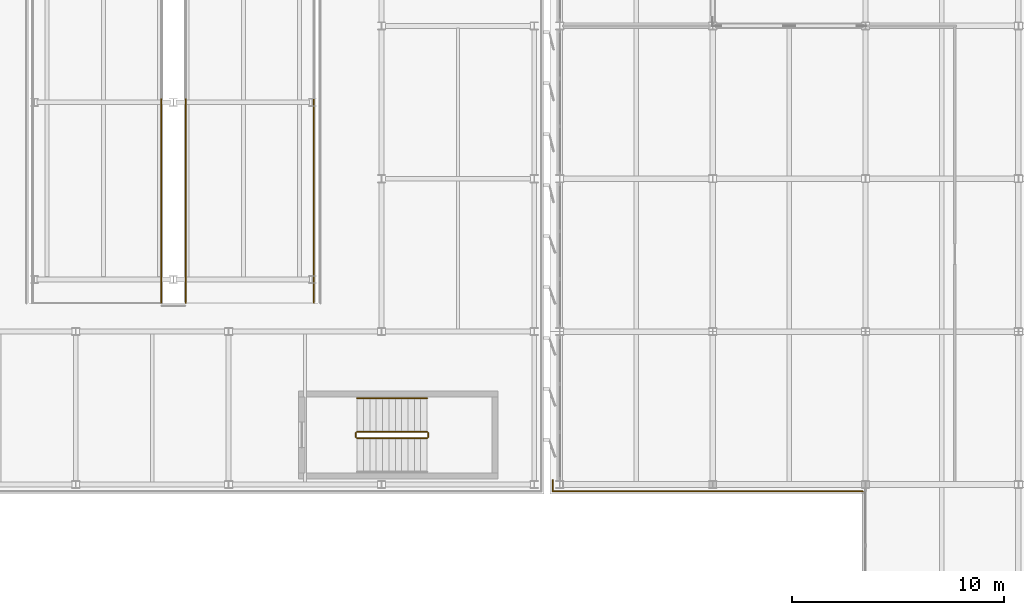
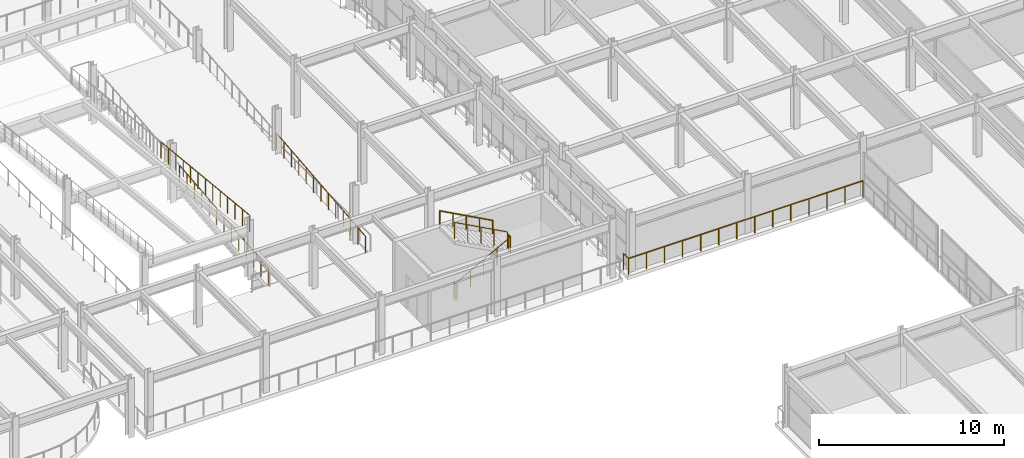
# One storey, part 75 of 80: 13 railings.
"""IFC4 building model written with IfcOpenShell, lengths in metres."""

import ifcopenshell
import ifcopenshell.guid

model = None  # the IFC model being written
_history = None  # IfcOwnerHistory: only IFC2X3 demands one
_inside = {}  # id of a spatial element -> (the spatial element, [elements in it])
_under = {}  # id of a project, library or spatial element -> (it, [spatial elements below it])
_declared = {}  # id of a project -> (the project, [libraries it declares])
_typed = {}  # id of a type object -> (the type object, [elements of that type])
_made_of = {}  # id of a material, layer set ... -> (it, [elements and type objects made of it])


def new_model(schema):
    """Start an empty IFC model of exactly this schema.

    Asked for "IFC4X3", IfcOpenShell would pick the latest addendum, in which some entities
    have other attributes; the version numbers below select the first issue.
    IFC2X3 requires an IfcOwnerHistory on every rooted entity: one is made here for all.
    """
    global model, _history
    if schema == "IFC4X3":
        model = ifcopenshell.file(schema_version=(4, 3, 0, 0))
    else:
        model = ifcopenshell.file(schema=schema)
    _inside.clear()
    _under.clear()
    _declared.clear()
    _typed.clear()
    _made_of.clear()
    _history = None
    if model.schema == "IFC2X3":
        org = make("IfcOrganization", Name="unknown")
        user = make(
            "IfcPersonAndOrganization",
            ThePerson=make("IfcPerson", FamilyName="unknown"),
            TheOrganization=org,
        )
        app = make(
            "IfcApplication",
            ApplicationDeveloper=org,
            Version="unknown",
            ApplicationFullName="unknown",
            ApplicationIdentifier="unknown",
        )
        _history = make(
            "IfcOwnerHistory",
            OwningUser=user,
            OwningApplication=app,
            ChangeAction="ADDED",
            CreationDate=0,
        )
    return model


def make(cls, **values):
    """One entity of the class cls with the attributes given. An attribute that is None is left unset."""
    return model.create_entity(
        cls, **{name: value for name, value in values.items() if value is not None}
    )


def rooted(cls, **values):
    """An entity with a GlobalId (a new one), such as an element, a storey or a relation."""
    return make(cls, GlobalId=ifcopenshell.guid.new(), OwnerHistory=_history, **values)


def si_unit(unit_type, name, prefix=None):
    """IfcSIUnit, for example si_unit("LENGTHUNIT", "METRE", prefix="MILLI")."""
    return make("IfcSIUnit", UnitType=unit_type, Prefix=prefix, Name=name)


def assignment(units):
    """IfcUnitAssignment: the units of a project."""
    return None if units is None else make("IfcUnitAssignment", Units=units)


def point(xyz):
    """IfcCartesianPoint."""
    return None if xyz is None else make("IfcCartesianPoint", Coordinates=xyz)


def direction(xyz):
    """IfcDirection."""
    return None if xyz is None else make("IfcDirection", DirectionRatios=xyz)


def frame(location, z_axis=None, x_axis=None):
    """IfcAxis2Placement3D, a coordinate frame: its origin and axes. An axis left out is left unset."""
    return make(
        "IfcAxis2Placement3D",
        Location=point(location),
        Axis=direction(z_axis),
        RefDirection=direction(x_axis),
    )


def frame_2d(location, x_axis=None):
    """IfcAxis2Placement2D, a coordinate frame in the plane: its origin and x axis."""
    return make(
        "IfcAxis2Placement2D", Location=point(location), RefDirection=direction(x_axis)
    )


def origin():
    """The frame at (0, 0, 0) with its axes left unset."""
    return frame((0.0, 0.0, 0.0))


def origin_2d():
    """The frame at (0, 0) in the plane with its x axis left unset."""
    return frame_2d((0.0, 0.0))


def place(relative_to, where):
    """IfcLocalPlacement: puts the frame where relative to a parent placement (None: the world)."""
    return make(
        "IfcLocalPlacement", PlacementRelTo=relative_to, RelativePlacement=where
    )


def context(
    kind, dimensions, precision=None, world=None, true_north=None, identifier=None
):
    """IfcGeometricRepresentationContext, for example the 3D "Model" context."""
    return make(
        "IfcGeometricRepresentationContext",
        ContextIdentifier=identifier,
        ContextType=kind,
        CoordinateSpaceDimension=dimensions,
        Precision=precision,
        WorldCoordinateSystem=world,
        TrueNorth=true_north,
    )


def subcontext(parent, identifier, kind, view, scale=None):
    """IfcGeometricRepresentationSubContext, for example "Body" below "Model"."""
    return make(
        "IfcGeometricRepresentationSubContext",
        ContextIdentifier=identifier,
        ContextType=kind,
        ParentContext=parent,
        TargetScale=scale,
        TargetView=view,
    )


def project(units=None, contexts=None):
    """IfcProject with its units and contexts."""
    return rooted(
        "IfcProject",
        Name="project",
        RepresentationContexts=contexts,
        UnitsInContext=assignment(units),
    )


def spatial(cls, under=None, at=None, **own):
    """A site, building, storey or space (cls), placed at a placement, below another one or the project."""
    s = rooted(cls, ObjectPlacement=at, **own)
    if under is not None:
        _under.setdefault(under.id(), (under, []))[1].append(s)
    return s


def profile(cls, at=None, kind="AREA", **sizes):
    """A parametric profile (cls). Its sizes go by their IFC names, for example OverallWidth=200.0."""
    return make(cls, ProfileType=kind, Position=at, **sizes)


def circle(**sizes):
    """IfcCircleProfileDef."""
    return profile("IfcCircleProfileDef", **sizes)


def extrude(swept, where, along, depth):
    """IfcExtrudedAreaSolid: the profile swept, set in the frame where, extruded along a direction by depth."""
    return make(
        "IfcExtrudedAreaSolid",
        SweptArea=swept,
        Position=where,
        ExtrudedDirection=direction(along),
        Depth=depth,
    )


def shape(context_of_items, identifier, shape_type, items):
    """IfcShapeRepresentation: the items that make up one representation, for example the "Body"."""
    return make(
        "IfcShapeRepresentation",
        ContextOfItems=context_of_items,
        RepresentationIdentifier=identifier,
        RepresentationType=shape_type,
        Items=items,
    )


def material(Name=None, Category=None):
    """IfcMaterial."""
    return make("IfcMaterial", Name=Name, Category=Category)


def layer(
    of_material, thickness, ventilated=None, Name=None, Category=None, Priority=None
):
    """IfcMaterialLayer: one layer of a wall or slab, of a material (None: an air gap)."""
    return make(
        "IfcMaterialLayer",
        Material=of_material,
        LayerThickness=thickness,
        IsVentilated=ventilated,
        Name=Name,
        Category=Category,
        Priority=Priority,
    )


def layer_set(layers, Name=None):
    """IfcMaterialLayerSet."""
    return make("IfcMaterialLayerSet", MaterialLayers=layers, LayerSetName=Name)


def made_of(thing, what):
    """Note that an element or type object is made of a material, layer set ...; save() writes the relation."""
    if what is not None:
        _made_of.setdefault(what.id(), (what, []))[1].append(thing)
    return thing


def type_object(cls, material=None, **own):
    """A type object (cls), such as IfcWallType, which elements share."""
    return made_of(rooted(cls, **own), material)


def element(
    cls,
    number,
    at=None,
    inside=None,
    cuts=None,
    type_object=None,
    material=None,
    context=None,
    identifier="Body",
    shape_type=None,
    held_by="IfcProductDefinitionShape",
    body=None,
    shapes=None,
    **own,
):
    """One element of the class cls, such as IfcWall. Its Tag is "e" and its number.

    at: its placement. inside: the storey or other place that contains it. cuts: it is an
    opening in that element (IfcRelVoidsElement). A single representation is given by context,
    identifier, shape_type and body (its items); several are given by shapes. held_by: the class
    of the entity that holds the representations. save() writes the other relations.
    """
    e = rooted(cls, Tag="e%d" % number, ObjectPlacement=at, **own)
    if body is not None:
        shapes = [shape(context, identifier, shape_type, body)]
    if shapes is not None:
        e.Representation = make(held_by, Representations=shapes)
    if inside is not None:
        _inside.setdefault(inside.id(), (inside, []))[1].append(e)
    if cuts is not None:
        rooted(
            "IfcRelVoidsElement", RelatingBuildingElement=cuts, RelatedOpeningElement=e
        )
    if type_object is not None:
        _typed.setdefault(type_object.id(), (type_object, []))[1].append(e)
    return made_of(e, material)


def aggregate(whole, parts):
    """IfcRelAggregates: a whole, such as a stair, and the parts it consists of."""
    return rooted("IfcRelAggregates", RelatingObject=whole, RelatedObjects=parts)


def save(model, path):
    """Write the relations noted so far, then the file.

    IfcRelAggregates (storeys below a building ...), IfcRelContainedInSpatialStructure (elements
    in a storey), IfcRelDefinesByType, IfcRelAssociatesMaterial and IfcRelDeclares: one each for
    every whole, place, type object, material and project.
    """
    for whole, parts in _under.values():
        aggregate(whole, parts)
    for where, things in _inside.values():
        rooted(
            "IfcRelContainedInSpatialStructure",
            RelatedElements=things,
            RelatingStructure=where,
        )
    for kind, things in _typed.values():
        rooted("IfcRelDefinesByType", RelatedObjects=things, RelatingType=kind)
    for what, things in _made_of.values():
        rooted("IfcRelAssociatesMaterial", RelatedObjects=things, RelatingMaterial=what)
    for by, libraries in _declared.values():
        rooted("IfcRelDeclares", RelatingContext=by, RelatedDefinitions=libraries)
    model.write(path)


model = new_model("IFC4")

# Units and contexts
model_context = context("Model", 3, precision=1e-05, world=origin(), true_north=direction((0.0, 1.0)))
body_context = subcontext(model_context, "Body", "Model", "MODEL_VIEW")
ifc_project = project(units=[si_unit("LENGTHUNIT", "METRE"), si_unit("AREAUNIT", "SQUARE_METRE"), si_unit("VOLUMEUNIT", "CUBIC_METRE"), si_unit("PLANEANGLEUNIT", "RADIAN"), si_unit("MASSUNIT", "GRAM", prefix="KILO")], contexts=[model_context])

# Site, building, storey
site_placement = place(None, origin())
site = spatial("IfcSite", under=ifc_project, at=site_placement, CompositionType="ELEMENT")
building_placement = place(site_placement, origin())
building = spatial("IfcBuilding", under=site, at=building_placement, Name="Vaelcorin Mobility Hub", CompositionType="ELEMENT")
storey_placement = place(building_placement, frame((0.0, 0.0, 9.300048828125)))
storey = spatial("IfcBuildingStorey", under=building, at=storey_placement, Name="L02", CompositionType="ELEMENT", Elevation=9.300048828125)

# Railings
ifc_material_1 = material(Name="Galvanised structural steel ASTM A36", Category="steel")
ifc_layer_1 = layer(ifc_material_1, 0.070068359375)
ifc_layer_set_1 = layer_set([ifc_layer_1], Name="Galvanised structural steel ASTM A36")
railing_type_1 = type_object("IfcRailingType", Name="RL-GUARD-1100", PredefinedType="BALUSTRADE", material=ifc_layer_set_1)
railing_1_placement = place(storey_placement, frame((135.97998046875, 85.360107421875, 0.0)))
element("IfcRailing", 1, at=railing_1_placement, inside=storey, type_object=railing_type_1, Name="L02 Ramp Guard GR-V2E-L02-FL1-W-01", PredefinedType="BALUSTRADE", context=body_context, shape_type="SweptSolid", body=[
    extrude(circle(Radius=0.02392578125, at=origin_2d()), frame((0.0, 0.0, 1.076171875), z_axis=(0.0, 0.994860105467, 0.10125892825), x_axis=(-1.0, 0.0, 0.0)), (0.0, 0.0, 1.0), 4.819580078125),
    extrude(circle(Radius=0.02099609375, at=origin_2d()), origin(), (0.0, 0.0, 1.0), 1.052001953125),
    extrude(circle(Radius=0.02099609375, at=origin_2d()), frame((0.0, 0.799072265625, 0.081298828125)), (0.0, 0.0, 1.0), 1.052001953125),
    extrude(circle(Radius=0.02099609375, at=origin_2d()), frame((0.0, 1.598388671875, 0.16259765625)), (0.0, 0.0, 1.0), 1.052001953125),
    extrude(circle(Radius=0.02099609375, at=origin_2d()), frame((0.0, 2.3974609375, 0.244140625)), (0.0, 0.0, 1.0), 1.052001953125),
    extrude(circle(Radius=0.02099609375, at=origin_2d()), frame((0.0, 3.196533203125, 0.325439453125)), (0.0, 0.0, 1.0), 1.052001953125),
    extrude(circle(Radius=0.02099609375, at=origin_2d()), frame((0.0, 3.995849609375, 0.40673828125)), (0.0, 0.0, 1.0), 1.052001953125),
    extrude(circle(Radius=0.02099609375, at=origin_2d()), frame((0.0, 4.794921875, 0.488037109375)), (0.0, 0.0, 1.0), 1.052001953125),
])
railing_2_placement = place(storey_placement, frame((135.97998046875, 90.155029296875, 0.488037109375)))
element("IfcRailing", 2, at=railing_2_placement, inside=storey, type_object=railing_type_1, Name="L02 Ramp Guard GR-V2E-L02-FL1-W-02", PredefinedType="BALUSTRADE", context=body_context, shape_type="SweptSolid", body=[
    extrude(circle(Radius=0.02392578125, at=origin_2d()), frame((0.0, 0.0, 1.076171875), z_axis=(0.0, 0.994885588968, 0.101008241568), x_axis=(-1.0, 0.0, 0.0)), (0.0, 0.0, 1.0), 4.819580078125),
    extrude(circle(Radius=0.02099609375, at=origin_2d()), origin(), (0.0, 0.0, 1.0), 1.052001953125),
    extrude(circle(Radius=0.02099609375, at=origin_2d()), frame((0.0, 0.799072265625, 0.0810546875)), (0.0, 0.0, 1.0), 1.052001953125),
    extrude(circle(Radius=0.02099609375, at=origin_2d()), frame((0.0, 1.598388671875, 0.162353515625)), (0.0, 0.0, 1.0), 1.052001953125),
    extrude(circle(Radius=0.02099609375, at=origin_2d()), frame((0.0, 2.3974609375, 0.243408203125)), (0.0, 0.0, 1.0), 1.052001953125),
    extrude(circle(Radius=0.02099609375, at=origin_2d()), frame((0.0, 3.196533203125, 0.324462890625)), (0.0, 0.0, 1.0), 1.052001953125),
    extrude(circle(Radius=0.02099609375, at=origin_2d()), frame((0.0, 3.995849609375, 0.40576171875)), (0.0, 0.0, 1.0), 1.052001953125),
    extrude(circle(Radius=0.02099609375, at=origin_2d()), frame((0.0, 4.794921875, 0.48681640625)), (0.0, 0.0, 1.0), 1.052001953125),
])
railing_3_placement = place(storey_placement, frame((142.02001953125, 85.360107421875, 0.0)))
element("IfcRailing", 3, at=railing_3_placement, inside=storey, type_object=railing_type_1, Name="L02 Ramp Guard GR-V2E-L02-FL1-E-01", PredefinedType="BALUSTRADE", context=body_context, shape_type="SweptSolid", body=[
    extrude(circle(Radius=0.02392578125, at=origin_2d()), frame((0.0, 0.0, 1.076171875), z_axis=(0.0, 0.994860105467, 0.10125892825), x_axis=(-1.0, 0.0, 0.0)), (0.0, 0.0, 1.0), 4.819580078125),
    extrude(circle(Radius=0.02099609375, at=origin_2d()), origin(), (0.0, 0.0, 1.0), 1.052001953125),
    extrude(circle(Radius=0.02099609375, at=origin_2d()), frame((0.0, 0.799072265625, 0.081298828125)), (0.0, 0.0, 1.0), 1.052001953125),
    extrude(circle(Radius=0.02099609375, at=origin_2d()), frame((0.0, 1.598388671875, 0.16259765625)), (0.0, 0.0, 1.0), 1.052001953125),
    extrude(circle(Radius=0.02099609375, at=origin_2d()), frame((0.0, 2.3974609375, 0.244140625)), (0.0, 0.0, 1.0), 1.052001953125),
    extrude(circle(Radius=0.02099609375, at=origin_2d()), frame((0.0, 3.196533203125, 0.325439453125)), (0.0, 0.0, 1.0), 1.052001953125),
    extrude(circle(Radius=0.02099609375, at=origin_2d()), frame((0.0, 3.995849609375, 0.40673828125)), (0.0, 0.0, 1.0), 1.052001953125),
    extrude(circle(Radius=0.02099609375, at=origin_2d()), frame((0.0, 4.794921875, 0.488037109375)), (0.0, 0.0, 1.0), 1.052001953125),
])
railing_4_placement = place(storey_placement, frame((142.02001953125, 90.155029296875, 0.488037109375)))
element("IfcRailing", 4, at=railing_4_placement, inside=storey, type_object=railing_type_1, Name="L02 Ramp Guard GR-V2E-L02-FL1-E-02", PredefinedType="BALUSTRADE", context=body_context, shape_type="SweptSolid", body=[
    extrude(circle(Radius=0.02392578125, at=origin_2d()), frame((0.0, 0.0, 1.076171875), z_axis=(0.0, 0.994885588968, 0.101008241568), x_axis=(-1.0, 0.0, 0.0)), (0.0, 0.0, 1.0), 4.819580078125),
    extrude(circle(Radius=0.02099609375, at=origin_2d()), origin(), (0.0, 0.0, 1.0), 1.052001953125),
    extrude(circle(Radius=0.02099609375, at=origin_2d()), frame((0.0, 0.799072265625, 0.0810546875)), (0.0, 0.0, 1.0), 1.052001953125),
    extrude(circle(Radius=0.02099609375, at=origin_2d()), frame((0.0, 1.598388671875, 0.162353515625)), (0.0, 0.0, 1.0), 1.052001953125),
    extrude(circle(Radius=0.02099609375, at=origin_2d()), frame((0.0, 2.3974609375, 0.243408203125)), (0.0, 0.0, 1.0), 1.052001953125),
    extrude(circle(Radius=0.02099609375, at=origin_2d()), frame((0.0, 3.196533203125, 0.324462890625)), (0.0, 0.0, 1.0), 1.052001953125),
    extrude(circle(Radius=0.02099609375, at=origin_2d()), frame((0.0, 3.995849609375, 0.40576171875)), (0.0, 0.0, 1.0), 1.052001953125),
    extrude(circle(Radius=0.02099609375, at=origin_2d()), frame((0.0, 4.794921875, 0.48681640625)), (0.0, 0.0, 1.0), 1.052001953125),
])
railing_5_placement = place(storey_placement, frame((134.820068359375, 94.949951171875, 2.925048828125)))
element("IfcRailing", 5, at=railing_5_placement, inside=storey, type_object=railing_type_1, Name="L02 Ramp Guard GR-V2E-L02-FL2-E-03", PredefinedType="BALUSTRADE", context=body_context, shape_type="SweptSolid", body=[
    extrude(circle(Radius=0.02392578125, at=origin_2d()), frame((0.0, 0.0, 1.076171875), z_axis=(0.0, -0.994885588968, 0.101008241568), x_axis=(1.0, 0.0, 0.0)), (0.0, 0.0, 1.0), 4.819580078125),
    extrude(circle(Radius=0.02099609375, at=origin_2d()), origin(), (0.0, 0.0, 1.0), 1.052001953125),
    extrude(circle(Radius=0.02099609375, at=origin_2d()), frame((0.0, -0.799072265625, 0.0810546875)), (0.0, 0.0, 1.0), 1.052001953125),
    extrude(circle(Radius=0.02099609375, at=origin_2d()), frame((0.0, -1.598388671875, 0.162353515625)), (0.0, 0.0, 1.0), 1.052001953125),
    extrude(circle(Radius=0.02099609375, at=origin_2d()), frame((0.0, -2.3974609375, 0.243408203125)), (0.0, 0.0, 1.0), 1.052001953125),
    extrude(circle(Radius=0.02099609375, at=origin_2d()), frame((0.0, -3.196533203125, 0.324462890625)), (0.0, 0.0, 1.0), 1.052001953125),
    extrude(circle(Radius=0.02099609375, at=origin_2d()), frame((0.0, -3.995849609375, 0.40576171875)), (0.0, 0.0, 1.0), 1.052001953125),
    extrude(circle(Radius=0.02099609375, at=origin_2d()), frame((0.0, -4.794921875, 0.48681640625)), (0.0, 0.0, 1.0), 1.052001953125),
])
railing_6_placement = place(storey_placement, frame((134.820068359375, 90.155029296875, 3.411865234375)))
element("IfcRailing", 6, at=railing_6_placement, inside=storey, type_object=railing_type_1, Name="L02 Ramp Guard GR-V2E-L02-FL2-E-04", PredefinedType="BALUSTRADE", context=body_context, shape_type="SweptSolid", body=[
    extrude(circle(Radius=0.02392578125, at=origin_2d()), frame((0.0, 0.0, 1.076171875), z_axis=(0.0, -0.994860105467, 0.10125892825), x_axis=(1.0, 0.0, 0.0)), (0.0, 0.0, 1.0), 4.819580078125),
    extrude(circle(Radius=0.02099609375, at=origin_2d()), origin(), (0.0, 0.0, 1.0), 1.052001953125),
    extrude(circle(Radius=0.02099609375, at=origin_2d()), frame((0.0, -0.799072265625, 0.081298828125)), (0.0, 0.0, 1.0), 1.052001953125),
    extrude(circle(Radius=0.02099609375, at=origin_2d()), frame((0.0, -1.598388671875, 0.16259765625)), (0.0, 0.0, 1.0), 1.052001953125),
    extrude(circle(Radius=0.02099609375, at=origin_2d()), frame((0.0, -2.3974609375, 0.244140625)), (0.0, 0.0, 1.0), 1.052001953125),
    extrude(circle(Radius=0.02099609375, at=origin_2d()), frame((0.0, -3.196533203125, 0.325439453125)), (0.0, 0.0, 1.0), 1.052001953125),
    extrude(circle(Radius=0.02099609375, at=origin_2d()), frame((0.0, -3.995849609375, 0.40673828125)), (0.0, 0.0, 1.0), 1.052001953125),
    extrude(circle(Radius=0.02099609375, at=origin_2d()), frame((0.0, -4.794921875, 0.488037109375)), (0.0, 0.0, 1.0), 1.052001953125),
])
railing_7_placement = place(storey_placement, frame((167.8798828125, 76.469970703125, 0.0)))
element("IfcRailing", 7, at=railing_7_placement, inside=storey, type_object=railing_type_1, Name="L02 Perimeter Guard GR-V5-L02-NOTCH-04", PredefinedType="BALUSTRADE", context=body_context, shape_type="SweptSolid", body=[
    extrude(circle(Radius=0.02392578125, at=origin_2d()), frame((0.0, 0.0, 1.076171875), z_axis=(-1.0, 0.0, 0.0), x_axis=(0.0, -1.0, 0.0)), (0.0, 0.0, 1.0), 14.60986328125),
    extrude(circle(Radius=0.02099609375, at=origin_2d()), origin(), (0.0, 0.0, 1.0), 1.052001953125),
    extrude(circle(Radius=0.02099609375, at=origin_2d()), frame((-1.123779296875, 0.0, 0.0)), (0.0, 0.0, 1.0), 1.052001953125),
    extrude(circle(Radius=0.02099609375, at=origin_2d()), frame((-2.24755859375, 0.0, 0.0)), (0.0, 0.0, 1.0), 1.052001953125),
    extrude(circle(Radius=0.02099609375, at=origin_2d()), frame((-3.37158203125, 0.0, 0.0)), (0.0, 0.0, 1.0), 1.052001953125),
    extrude(circle(Radius=0.02099609375, at=origin_2d()), frame((-4.495361328125, 0.0, 0.0)), (0.0, 0.0, 1.0), 1.052001953125),
    extrude(circle(Radius=0.02099609375, at=origin_2d()), frame((-5.619140625, 0.0, 0.0)), (0.0, 0.0, 1.0), 1.052001953125),
    extrude(circle(Radius=0.02099609375, at=origin_2d()), frame((-6.742919921875, 0.0, 0.0)), (0.0, 0.0, 1.0), 1.052001953125),
    extrude(circle(Radius=0.02099609375, at=origin_2d()), frame((-7.866943359375, 0.0, 0.0)), (0.0, 0.0, 1.0), 1.052001953125),
    extrude(circle(Radius=0.02099609375, at=origin_2d()), frame((-8.99072265625, 0.0, 0.0)), (0.0, 0.0, 1.0), 1.052001953125),
    extrude(circle(Radius=0.02099609375, at=origin_2d()), frame((-10.114501953125, 0.0, 0.0)), (0.0, 0.0, 1.0), 1.052001953125),
    extrude(circle(Radius=0.02099609375, at=origin_2d()), frame((-11.23828125, 0.0, 0.0)), (0.0, 0.0, 1.0), 1.052001953125),
    extrude(circle(Radius=0.02099609375, at=origin_2d()), frame((-12.3623046875, 0.0, 0.0)), (0.0, 0.0, 1.0), 1.052001953125),
    extrude(circle(Radius=0.02099609375, at=origin_2d()), frame((-13.486083984375, 0.0, 0.0)), (0.0, 0.0, 1.0), 1.052001953125),
    extrude(circle(Radius=0.02099609375, at=origin_2d()), frame((-14.60986328125, 0.0, 0.0)), (0.0, 0.0, 1.0), 1.052001953125),
])
railing_8_placement = place(storey_placement, frame((153.27001953125, 76.469970703125, 0.0)))
element("IfcRailing", 8, at=railing_8_placement, inside=storey, type_object=railing_type_1, Name="L02 Perimeter Guard GR-V5-L02-NOTCH-05", PredefinedType="BALUSTRADE", context=body_context, shape_type="SweptSolid", body=[
    extrude(circle(Radius=0.02392578125, at=origin_2d()), frame((0.0, 0.0, 1.076171875), z_axis=(0.0, 1.0, 0.0), x_axis=(-1.0, 0.0, 0.0)), (0.0, 0.0, 1.0), 0.530029296875),
    extrude(circle(Radius=0.02099609375, at=origin_2d()), origin(), (0.0, 0.0, 1.0), 1.052001953125),
    extrude(circle(Radius=0.02099609375, at=origin_2d()), frame((0.0, 0.530029296875, 0.0)), (0.0, 0.0, 1.0), 1.052001953125),
])
ifc_material_2 = material(Name="Brushed stainless steel 316L", Category="steel")
ifc_layer_2 = layer(ifc_material_2, 0.048095703125)
ifc_layer_set_2 = layer_set([ifc_layer_2], Name="Brushed stainless steel 316L")
railing_type_2 = type_object("IfcRailingType", Name="RL-STAIR-GRD", PredefinedType="GUARDRAIL", material=ifc_layer_set_2)
railing_9_placement = place(storey_placement, frame((144.050048828125, 78.97998046875, 0.162353515625)))
element("IfcRailing", 9, at=railing_9_placement, inside=storey, type_object=railing_type_2, Name="L02 ST2 stair guard 1", PredefinedType="GUARDRAIL", context=body_context, shape_type="SweptSolid", body=[
    extrude(circle(Radius=0.02392578125, at=origin_2d()), frame((0.0, 0.0, 1.076171875), z_axis=(0.879284020681, 0.0, 0.476297817521), x_axis=(0.0, 1.0, 0.0)), (0.0, 0.0, 1.0), 3.753173828125),
    extrude(circle(Radius=0.02099609375, at=origin_2d()), origin(), (0.0, 0.0, 1.0), 1.052001953125),
    extrude(circle(Radius=0.02099609375, at=origin_2d()), frame((0.824951171875, 0.0, 0.44677734375)), (0.0, 0.0, 1.0), 1.052001953125),
    extrude(circle(Radius=0.02099609375, at=origin_2d()), frame((1.64990234375, 0.0, 0.893798828125)), (0.0, 0.0, 1.0), 1.052001953125),
    extrude(circle(Radius=0.02099609375, at=origin_2d()), frame((2.47509765625, 0.0, 1.3408203125)), (0.0, 0.0, 1.0), 1.052001953125),
    extrude(circle(Radius=0.02099609375, at=origin_2d()), frame((3.300048828125, 0.0, 1.78759765625)), (0.0, 0.0, 1.0), 1.052001953125),
])
railing_10_placement = place(storey_placement, frame((147.39990234375, 79.030029296875, 1.949951171875)))
element("IfcRailing", 10, at=railing_10_placement, inside=storey, type_object=railing_type_2, Name="L02 ST2 stair guard 2", PredefinedType="GUARDRAIL", context=body_context, shape_type="SweptSolid", body=[
    extrude(circle(Radius=0.02392578125, at=origin_2d()), frame((0.0, 0.0, 1.076171875), z_axis=(0.0, 1.0, 0.0), x_axis=(-1.0, 0.0, 0.0)), (0.0, 0.0, 1.0), 0.199951171875),
    extrude(circle(Radius=0.02099609375, at=origin_2d()), origin(), (0.0, 0.0, 1.0), 1.052001953125),
    extrude(circle(Radius=0.02099609375, at=origin_2d()), frame((0.0, 0.199951171875, 0.0)), (0.0, 0.0, 1.0), 1.052001953125),
])
railing_11_placement = place(storey_placement, frame((147.35009765625, 79.280029296875, 2.112548828125)))
element("IfcRailing", 11, at=railing_11_placement, inside=storey, type_object=railing_type_2, Name="L02 ST2 stair guard 3", PredefinedType="GUARDRAIL", context=body_context, shape_type="SweptSolid", body=[
    extrude(circle(Radius=0.02392578125, at=origin_2d()), frame((0.0, 0.0, 1.076171875), z_axis=(-0.879311263194, 0.0, 0.47624752222), x_axis=(0.0, -1.0, 0.0)), (0.0, 0.0, 1.0), 3.7529296875),
    extrude(circle(Radius=0.02099609375, at=origin_2d()), origin(), (0.0, 0.0, 1.0), 1.052001953125),
    extrude(circle(Radius=0.02099609375, at=origin_2d()), frame((-0.824951171875, 0.0, 0.44677734375)), (0.0, 0.0, 1.0), 1.052001953125),
    extrude(circle(Radius=0.02099609375, at=origin_2d()), frame((-1.64990234375, 0.0, 0.8935546875)), (0.0, 0.0, 1.0), 1.052001953125),
    extrude(circle(Radius=0.02099609375, at=origin_2d()), frame((-2.47509765625, 0.0, 1.340576171875)), (0.0, 0.0, 1.0), 1.052001953125),
    extrude(circle(Radius=0.02099609375, at=origin_2d()), frame((-3.300048828125, 0.0, 1.787353515625)), (0.0, 0.0, 1.0), 1.052001953125),
])
railing_12_placement = place(storey_placement, frame((144.0, 79.030029296875, 0.0)))
element("IfcRailing", 12, at=railing_12_placement, inside=storey, type_object=railing_type_2, Name="L02 ST2 stair guard 4", PredefinedType="GUARDRAIL", context=body_context, shape_type="SweptSolid", body=[
    extrude(circle(Radius=0.02392578125, at=origin_2d()), frame((0.0, 0.0, 1.076171875), z_axis=(0.0, 1.0, 0.0), x_axis=(-1.0, 0.0, 0.0)), (0.0, 0.0, 1.0), 0.199951171875),
    extrude(circle(Radius=0.02099609375, at=origin_2d()), origin(), (0.0, 0.0, 1.0), 1.052001953125),
    extrude(circle(Radius=0.02099609375, at=origin_2d()), frame((0.0, 0.199951171875, 0.0)), (0.0, 0.0, 1.0), 1.052001953125),
])
ifc_layer_3 = layer(ifc_material_2, 0.048095703125)
ifc_layer_set_3 = layer_set([ifc_layer_3], Name="Brushed stainless steel 316L")
railing_type_3 = type_object("IfcRailingType", Name="RL-STAIR-HR", PredefinedType="HANDRAIL", material=ifc_layer_set_3)
railing_13_placement = place(storey_placement, frame((147.35009765625, 80.860107421875, 2.112548828125)))
element("IfcRailing", 13, at=railing_13_placement, inside=storey, type_object=railing_type_3, Name="L02 ST2 stair handrail 2", PredefinedType="HANDRAIL", context=body_context, shape_type="SweptSolid", body=[
    extrude(circle(Radius=0.02392578125, at=origin_2d()), frame((0.0, 0.0, 0.8759765625), z_axis=(-0.879311263194, 0.0, 0.47624752222), x_axis=(0.0, -1.0, 0.0)), (0.0, 0.0, 1.0), 3.7529296875),
    extrude(circle(Radius=0.02099609375, at=origin_2d()), origin(), (0.0, 0.0, 1.0), 0.851806640625),
    extrude(circle(Radius=0.02099609375, at=origin_2d()), frame((-0.824951171875, 0.0, 0.44677734375)), (0.0, 0.0, 1.0), 0.851806640625),
    extrude(circle(Radius=0.02099609375, at=origin_2d()), frame((-1.64990234375, 0.0, 0.8935546875)), (0.0, 0.0, 1.0), 0.851806640625),
    extrude(circle(Radius=0.02099609375, at=origin_2d()), frame((-2.47509765625, 0.0, 1.340576171875)), (0.0, 0.0, 1.0), 0.851806640625),
    extrude(circle(Radius=0.02099609375, at=origin_2d()), frame((-3.300048828125, 0.0, 1.787353515625)), (0.0, 0.0, 1.0), 0.851806640625),
])

save(model, "model.ifc")
